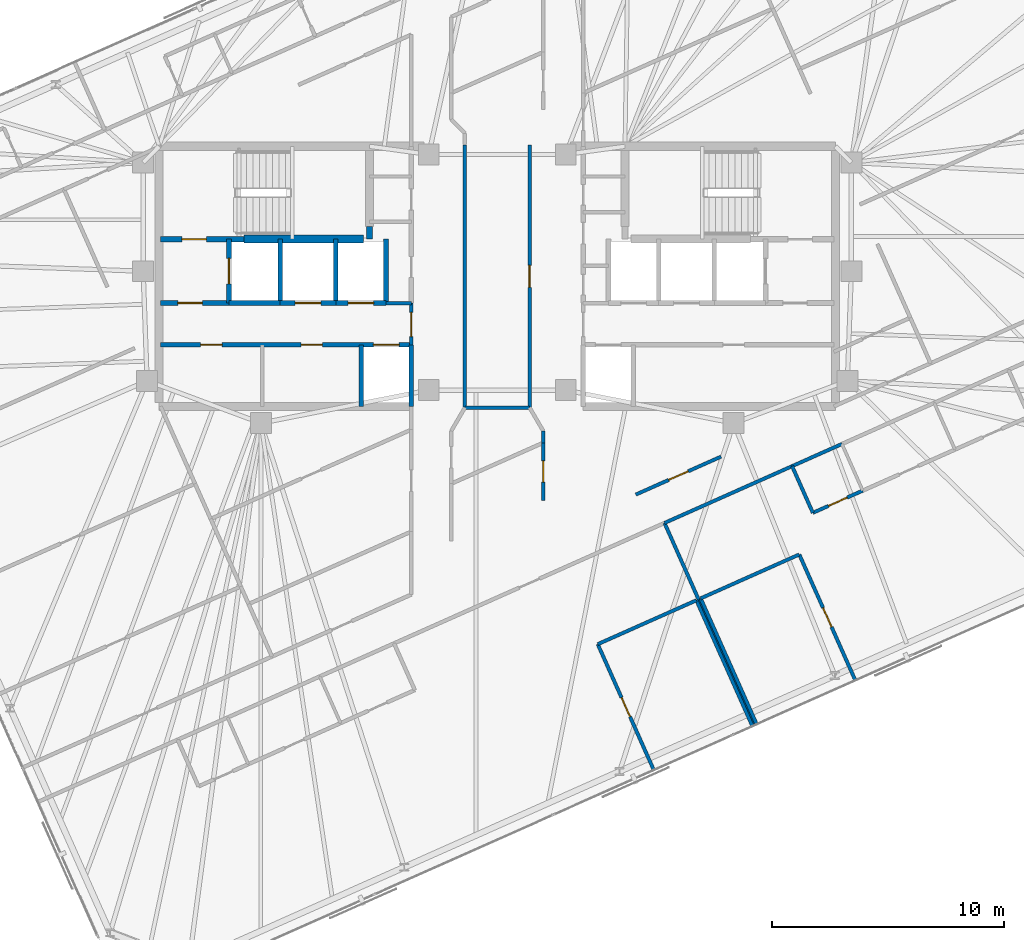
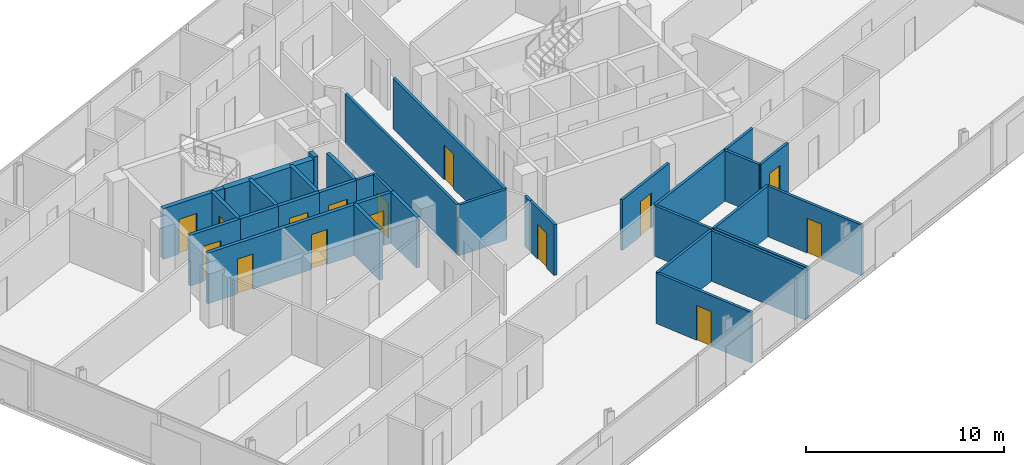
# One storey, part 14 of 19: 33 walls, 15 doors, 15 openings.
"""IFC4 building model written with IfcOpenShell, lengths in metres."""

from ifc_helpers import new_model, si_unit, direction, frame, frame_2d, origin, place, context, subcontext, project, spatial, rectangle, extrude, material, layer, layer_set, type_object, element, fill, save


model = new_model("IFC4")

# Units and contexts
model_context = context("Model", 3, precision=1e-05, world=origin(), true_north=direction((0.0, 1.0)))
body_context = subcontext(model_context, "Body", "Model", "MODEL_VIEW")
ifc_project = project(units=[si_unit("LENGTHUNIT", "METRE"), si_unit("AREAUNIT", "SQUARE_METRE"), si_unit("VOLUMEUNIT", "CUBIC_METRE"), si_unit("PLANEANGLEUNIT", "RADIAN"), si_unit("MASSUNIT", "GRAM", prefix="KILO")], contexts=[model_context])

# Site, building, storey
site_placement = place(None, origin())
site = spatial("IfcSite", under=ifc_project, at=site_placement, CompositionType="ELEMENT")
building_placement = place(site_placement, origin())
building = spatial("IfcBuilding", under=site, at=building_placement, Name="Menara Jurai Vektor", CompositionType="ELEMENT")
storey_placement = place(building_placement, frame((0.0, 0.0, 265.550048828125)))
storey = spatial("IfcBuildingStorey", under=building, at=storey_placement, Name="L71", CompositionType="ELEMENT", Elevation=265.550048828125)

# Wall, opening, door
ifc_material_1 = material(Name="Concrete C40/50", Category="concrete")
ifc_layer_1 = layer(ifc_material_1, 0.25)
ifc_layer_set_1 = layer_set([ifc_layer_1], Name="Concrete C40/50")
wall_type_1 = type_object("IfcWallType", Name="INT-WALL-CORE-250", PredefinedType="STANDARD", material=ifc_layer_set_1)
wall_1_placement = place(storey_placement, frame((-14.5, 1.60009765625, 0.0), z_axis=(0.0, 0.0, 1.0), x_axis=(1.0, 0.0, 0.0)))
wall_1 = element("IfcWall", 1, at=wall_1_placement, inside=storey, type_object=wall_type_1, Name="Interior Wall IW-250 L71", PredefinedType="STANDARD", context=body_context, shape_type="SweptSolid", body=[
    extrude(rectangle(XDim=3.60009765625, YDim=0.25, at=frame_2d((1.800048828125, 0.0))), origin(), (0.0, 0.0, 1.0), 3.125),
])
opening_1_placement = place(wall_1_placement, frame((0.919921875, 0.0, 0.0)))
opening_1 = element("IfcOpeningElement", 2, at=opening_1_placement, cuts=wall_1, Name="Opening D-L71-ST1", PredefinedType="OPENING", context=body_context, shape_type="SweptSolid", body=[
    extrude(rectangle(XDim=1.050048828125, YDim=2.14990234375, at=frame_2d((0.52490234375, 1.074951171875))), frame((0.0, 0.135009765625, 0.0), z_axis=(0.0, -1.0, 0.0), x_axis=(1.0, 0.0, 0.0)), (0.0, 0.0, 1.0), 0.27001953125),
])
ifc_material_2 = material(Name="Fire-Rated Steel Door", Category="steel")
door_type_1 = type_object("IfcDoorType", Name="DR-STAIR-1050", OperationType="NOTDEFINED", PredefinedType="DOOR", material=ifc_material_2)
door_1_placement = place(opening_1_placement, origin())
door_1 = element("IfcDoor", 3, at=door_1_placement, inside=storey, type_object=door_type_1, Name="Exit Stair ST1 Door L71", OperationType="SINGLE_SWING_RIGHT", OverallHeight=2.14990234375, OverallWidth=1.050048828125, PredefinedType="DOOR", context=body_context, shape_type="SweptSolid", body=[
    extrude(rectangle(XDim=1.050048828125, YDim=2.14990234375, at=frame_2d((0.52490234375, 1.074951171875))), frame((0.0, 0.02490234375, 0.0), z_axis=(0.0, -1.0, 0.0), x_axis=(1.0, 0.0, 0.0)), (0.0, 0.0, 1.0), 0.050048828125),
])
fill(opening_1, door_1)

# Wall
wall_2_placement = place(storey_placement, frame((-5.5, 1.60009765625, 0.0), z_axis=(0.0, 0.0, 1.0), x_axis=(0.0, 1.0, 0.0)))
element("IfcWall", 4, at=wall_2_placement, inside=storey, type_object=wall_type_1, Name="Interior Wall IW-250 L71", PredefinedType="STANDARD", context=body_context, shape_type="SweptSolid", body=[
    extrude(rectangle(XDim=0.5498046875, YDim=0.25, at=frame_2d((0.27490234375, 0.0))), origin(), (0.0, 0.0, 1.0), 3.125),
])

# Wall, opening, door
wall_3_placement = place(storey_placement, frame((-11.550048828125, -1.14990234375, 0.0), z_axis=(0.0, 0.0, 1.0), x_axis=(0.0, 1.0, 0.0)))
wall_3 = element("IfcWall", 5, at=wall_3_placement, inside=storey, type_object=wall_type_1, Name="Interior Wall IW-250 L71", PredefinedType="STANDARD", context=body_context, shape_type="SweptSolid", body=[
    extrude(rectangle(XDim=2.75, YDim=0.199951171875, at=frame_2d((1.375, 0.0))), origin(), (0.0, 0.0, 1.0), 3.125),
])
opening_2_placement = place(wall_3_placement, frame((0.824951171875, 0.0, 0.0)))
opening_2 = element("IfcOpeningElement", 6, at=opening_2_placement, cuts=wall_3, Name="Opening LD-L71-FL1", PredefinedType="OPENING", context=body_context, shape_type="SweptSolid", body=[
    extrude(rectangle(XDim=1.10009765625, YDim=2.14990234375, at=frame_2d((0.550048828125, 1.074951171875))), frame((0.0, 0.10986328125, 0.0), z_axis=(0.0, -1.0, 0.0), x_axis=(1.0, 0.0, 0.0)), (0.0, 0.0, 1.0), 0.219970703125),
])
ifc_material_3 = material(Name="Stainless Steel Sliding Lift Landing Door", Category="steel")
door_type_2 = type_object("IfcDoorType", Name="DR-LIFT-FIRE-1100", OperationType="NOTDEFINED", PredefinedType="DOOR", material=ifc_material_3)
door_2_placement = place(opening_2_placement, origin())
door_2 = element("IfcDoor", 7, at=door_2_placement, inside=storey, type_object=door_type_2, Name="Lift Landing Door FL1 L71", OperationType="SLIDING_TO_RIGHT", OverallHeight=2.14990234375, OverallWidth=1.10009765625, PredefinedType="DOOR", context=body_context, shape_type="SweptSolid", body=[
    extrude(rectangle(XDim=1.10009765625, YDim=2.14990234375, at=frame_2d((0.550048828125, 1.074951171875))), frame((0.0, 0.02490234375, 0.0), z_axis=(0.0, -1.0, 0.0), x_axis=(1.0, 0.0, 0.0)), (0.0, 0.0, 1.0), 0.050048828125),
])
fill(opening_2, door_2)

# Wall
wall_4_placement = place(storey_placement, frame((-9.35009765625, -1.14990234375, 0.0), z_axis=(0.0, 0.0, 1.0), x_axis=(0.0, 1.0, 0.0)))
element("IfcWall", 8, at=wall_4_placement, inside=storey, type_object=wall_type_1, Name="Interior Wall IW-250 L71", PredefinedType="STANDARD", context=body_context, shape_type="SweptSolid", body=[
    extrude(rectangle(XDim=2.75, YDim=0.199951171875, at=frame_2d((1.375, 0.0))), origin(), (0.0, 0.0, 1.0), 3.125),
])

# Wall, opening, door
wall_5_placement = place(storey_placement, frame((-14.5, -1.14990234375, 0.0), z_axis=(0.0, 0.0, 1.0), x_axis=(1.0, 0.0, 0.0)))
wall_5 = element("IfcWall", 9, at=wall_5_placement, inside=storey, type_object=wall_type_1, Name="Interior Wall IW-250 L71", PredefinedType="STANDARD", context=body_context, shape_type="SweptSolid", body=[
    extrude(rectangle(XDim=2.949951171875, YDim=0.199951171875, at=frame_2d((1.47509765625, 0.0))), origin(), (0.0, 0.0, 1.0), 3.125),
])
opening_3_placement = place(wall_5_placement, frame((0.75, 0.0, 0.0)))
opening_3 = element("IfcOpeningElement", 10, at=opening_3_placement, cuts=wall_5, Name="Opening D-L71-FFW", PredefinedType="OPENING", context=body_context, shape_type="SweptSolid", body=[
    extrude(rectangle(XDim=1.050048828125, YDim=2.179931640625, at=frame_2d((0.52490234375, 1.08984375))), frame((0.0, 0.10986328125, 0.0), z_axis=(0.0, -1.0, 0.0), x_axis=(1.0, 0.0, 0.0)), (0.0, 0.0, 1.0), 0.219970703125),
])
ifc_material_4 = material(Name="Fire-Rated Timber Door", Category="wood")
door_type_3 = type_object("IfcDoorType", Name="DR-LOBBY-1050", OperationType="NOTDEFINED", PredefinedType="DOOR", material=ifc_material_4)
door_3_placement = place(opening_3_placement, origin())
door_3 = element("IfcDoor", 11, at=door_3_placement, inside=storey, type_object=door_type_3, Name="Fire Lift Lobby Door W L71", OperationType="SINGLE_SWING_RIGHT", OverallHeight=2.179931640625, OverallWidth=1.050048828125, PredefinedType="DOOR", context=body_context, shape_type="SweptSolid", body=[
    extrude(rectangle(XDim=1.050048828125, YDim=2.179931640625, at=frame_2d((0.52490234375, 1.08984375))), frame((0.0, 0.02490234375, 0.0), z_axis=(0.0, -1.0, 0.0), x_axis=(1.0, 0.0, 0.0)), (0.0, 0.0, 1.0), 0.050048828125),
])
fill(opening_3, door_3)

# Wall
wall_6_placement = place(storey_placement, frame((-11.550048828125, -1.14990234375, 0.0), z_axis=(0.0, 0.0, 1.0), x_axis=(1.0, 0.0, 0.0)))
element("IfcWall", 12, at=wall_6_placement, inside=storey, type_object=wall_type_1, Name="Interior Wall IW-250 L71", PredefinedType="STANDARD", context=body_context, shape_type="SweptSolid", body=[
    extrude(rectangle(XDim=2.199951171875, YDim=0.199951171875, at=frame_2d((1.10009765625, 0.0))), origin(), (0.0, 0.0, 1.0), 3.125),
])

# Wall, opening, door
ifc_material_5 = material(Name="Gypsum Fireboard Partition", Category="gypsum")
ifc_layer_2 = layer(ifc_material_5, 0.14990234375)
ifc_layer_set_2 = layer_set([ifc_layer_2], Name="Gypsum Fireboard Partition")
wall_type_2 = type_object("IfcWallType", Name="INT-WALL-CORR-150", PredefinedType="PARTITIONING", material=ifc_layer_set_2)
wall_7_placement = place(storey_placement, frame((-3.699951171875, -2.949951171875, 0.0), z_axis=(0.0, 0.0, 1.0), x_axis=(0.0, 1.0, 0.0)))
wall_7 = element("IfcWall", 13, at=wall_7_placement, inside=storey, type_object=wall_type_2, Name="Interior Wall IW-150 L71", PredefinedType="PARTITIONING", context=body_context, shape_type="SweptSolid", body=[
    extrude(rectangle(XDim=1.800048828125, YDim=0.14990234375, at=frame_2d((0.89990234375, 0.0))), origin(), (0.0, 0.0, 1.0), 3.125),
])
opening_4_placement = place(wall_7_placement, frame((0.35009765625, 0.0, 0.0)))
opening_4 = element("IfcOpeningElement", 14, at=opening_4_placement, cuts=wall_7, Name="Opening D-L71-LLW", PredefinedType="OPENING", context=body_context, shape_type="SweptSolid", body=[
    extrude(rectangle(XDim=1.050048828125, YDim=2.179931640625, at=frame_2d((0.52490234375, 1.08984375))), frame((0.0, 0.0849609375, 0.0), z_axis=(0.0, -1.0, 0.0), x_axis=(1.0, 0.0, 0.0)), (0.0, 0.0, 1.0), 0.169921875),
])
door_4_placement = place(opening_4_placement, origin())
door_4 = element("IfcDoor", 15, at=door_4_placement, inside=storey, type_object=door_type_3, Name="Lift Lobby Corridor Door W L71", OperationType="SINGLE_SWING_LEFT", OverallHeight=2.179931640625, OverallWidth=1.050048828125, PredefinedType="DOOR", context=body_context, shape_type="SweptSolid", body=[
    extrude(rectangle(XDim=1.050048828125, YDim=2.179931640625, at=frame_2d((0.52490234375, 1.08984375))), frame((0.0, 0.02490234375, 0.0), z_axis=(0.0, -1.0, 0.0), x_axis=(1.0, 0.0, 0.0)), (0.0, 0.0, 1.0), 0.050048828125),
])
fill(opening_4, door_4)

# Walls
wall_8_placement = place(storey_placement, frame((-4.7900390625, -1.14990234375, 0.0), z_axis=(0.0, 0.0, 1.0), x_axis=(1.0, 0.0, 0.0)))
element("IfcWall", 16, at=wall_8_placement, inside=storey, type_object=wall_type_2, Name="Interior Wall IW-150 L71", PredefinedType="PARTITIONING", context=body_context, shape_type="SweptSolid", body=[
    extrude(rectangle(XDim=1.090087890625, YDim=0.14990234375, at=frame_2d((0.544921875, 0.0))), origin(), (0.0, 0.0, 1.0), 3.125),
])
wall_9_placement = place(storey_placement, frame((-1.390869140625, -5.64990234375, 0.0), z_axis=(0.0, 0.0, 1.0), x_axis=(-2.1605738e-05, 0.999999999767, 0.0)))
element("IfcWall", 17, at=wall_9_placement, inside=storey, type_object=wall_type_2, Name="Interior Wall IW-150 L71", PredefinedType="PARTITIONING", context=body_context, shape_type="SweptSolid", body=[
    extrude(rectangle(XDim=11.2998046875, YDim=0.14990234375, at=frame_2d((5.64990234375, 0.0))), origin(), (0.0, 0.0, 1.0), 3.125),
])

# Wall, opening, door
wall_10_placement = place(storey_placement, frame((1.390869140625, -5.650390625, 0.0), z_axis=(0.0, 0.0, 1.0), x_axis=(4.3206809e-05, 0.999999999067, 0.0)))
wall_10 = element("IfcWall", 18, at=wall_10_placement, inside=storey, type_object=wall_type_2, Name="Interior Wall IW-150 L71", PredefinedType="PARTITIONING", context=body_context, shape_type="SweptSolid", body=[
    extrude(rectangle(XDim=11.301025390625, YDim=0.14990234375, at=frame_2d((5.650390625, 0.0))), origin(), (0.0, 0.0, 1.0), 3.125),
])
opening_5_placement = place(wall_10_placement, frame((5.175537109375, 0.0, 0.0)))
opening_5 = element("IfcOpeningElement", 19, at=opening_5_placement, cuts=wall_10, Name="Opening D71-09", PredefinedType="OPENING", context=body_context, shape_type="SweptSolid", body=[
    extrude(rectangle(XDim=0.949951171875, YDim=2.14990234375, at=frame_2d((0.47509765625, 1.074951171875))), frame((0.0, 0.0849609375, 0.0), z_axis=(0.0, -1.0, 0.0), x_axis=(1.0, 0.0, 0.0)), (0.0, 0.0, 1.0), 0.169921875),
])
ifc_material_6 = material(Name="Solid Core Timber Fire Door", Category="wood")
door_type_4 = type_object("IfcDoorType", Name="DR-ENTRY-950", OperationType="NOTDEFINED", PredefinedType="DOOR", material=ifc_material_6)
door_5_placement = place(opening_5_placement, origin())
door_5 = element("IfcDoor", 20, at=door_5_placement, inside=storey, type_object=door_type_4, Name="Interior Door D71-09", OperationType="SINGLE_SWING_LEFT", OverallHeight=2.14990234375, OverallWidth=0.949951171875, PredefinedType="DOOR", context=body_context, shape_type="SweptSolid", body=[
    extrude(rectangle(XDim=0.949951171875, YDim=2.14990234375, at=frame_2d((0.47509765625, 1.074951171875))), frame((0.0, 0.02490234375, 0.0), z_axis=(0.0, -1.0, 0.0), x_axis=(1.0, 0.0, 0.0)), (0.0, 0.0, 1.0), 0.050048828125),
])
fill(opening_5, door_5)

# Walls
wall_11_placement = place(storey_placement, frame((7.20361328125, -10.6220703125, 0.0), z_axis=(0.0, 0.0, 1.0), x_axis=(0.913545172627, 0.406737283231, 0.0)))
element("IfcWall", 21, at=wall_11_placement, inside=storey, type_object=wall_type_2, Name="Interior Wall IW-150 L71", PredefinedType="PARTITIONING", context=body_context, shape_type="SweptSolid", body=[
    extrude(rectangle(XDim=6.013916015625, YDim=0.14990234375, at=frame_2d((3.0068359375, 0.0))), origin(), (0.0, 0.0, 1.0), 3.125),
])
wall_12_placement = place(storey_placement, frame((12.697509765625, -8.176025390625, 0.0), z_axis=(0.0, 0.0, 1.0), x_axis=(0.913558622212, 0.406707073682, 0.0)))
element("IfcWall", 22, at=wall_12_placement, inside=storey, type_object=wall_type_2, Name="Interior Wall IW-150 L71", PredefinedType="PARTITIONING", context=body_context, shape_type="SweptSolid", body=[
    extrude(rectangle(XDim=2.35009765625, YDim=0.14990234375, at=frame_2d((1.175048828125, 0.0))), origin(), (0.0, 0.0, 1.0), 3.125),
])

# Wall, opening, door
wall_13_placement = place(storey_placement, frame((5.968017578125, -9.398681640625, 0.0), z_axis=(0.0, 0.0, 1.0), x_axis=(0.913563383118, 0.406696379412, 0.0)))
wall_13 = element("IfcWall", 23, at=wall_13_placement, inside=storey, type_object=wall_type_2, Name="Interior Wall IW-150 L71", PredefinedType="PARTITIONING", context=body_context, shape_type="SweptSolid", body=[
    extrude(rectangle(XDim=4.01904296875, YDim=0.14990234375, at=frame_2d((2.009521484375, 0.0))), origin(), (0.0, 0.0, 1.0), 3.125),
])
opening_6_placement = place(wall_13_placement, frame((1.549560546875, 0.0, 0.0)))
opening_6 = element("IfcOpeningElement", 24, at=opening_6_placement, cuts=wall_13, Name="Opening D71-36", PredefinedType="OPENING", context=body_context, shape_type="SweptSolid", body=[
    extrude(rectangle(XDim=0.919921875, YDim=2.14990234375, at=frame_2d((0.4599609375, 1.074951171875))), frame((0.0, 0.0849609375, 0.0), z_axis=(0.0, -1.0, 0.0), x_axis=(1.0, 0.0, 0.0)), (0.0, 0.0, 1.0), 0.169921875),
])
door_6_placement = place(opening_6_placement, origin())
door_6 = element("IfcDoor", 25, at=door_6_placement, inside=storey, type_object=door_type_4, Name="Interior Door D71-36", OperationType="SINGLE_SWING_RIGHT", OverallHeight=2.14990234375, OverallWidth=0.919921875, PredefinedType="DOOR", context=body_context, shape_type="SweptSolid", body=[
    extrude(rectangle(XDim=0.919921875, YDim=2.14990234375, at=frame_2d((0.4599609375, 1.074951171875))), frame((0.0, 0.02490234375, 0.0), z_axis=(0.0, -1.0, 0.0), x_axis=(1.0, 0.0, 0.0)), (0.0, 0.0, 1.0), 0.050048828125),
])
fill(opening_6, door_6)

wall_14_placement = place(storey_placement, frame((1.979248046875, -9.64453125, 0.0), z_axis=(0.0, 0.0, 1.0), x_axis=(9.8541584e-05, 0.999999995145, 0.0)))
wall_14 = element("IfcWall", 26, at=wall_14_placement, inside=storey, type_object=wall_type_2, Name="Interior Wall IW-150 L71", PredefinedType="PARTITIONING", context=body_context, shape_type="SweptSolid", body=[
    extrude(rectangle(XDim=2.4775390625, YDim=0.14990234375, at=frame_2d((1.23876953125, 0.0))), origin(), (0.0, 0.0, 1.0), 3.125),
])
opening_7_placement = place(wall_14_placement, frame((0.77880859375, 0.0, 0.0)))
opening_7 = element("IfcOpeningElement", 27, at=opening_7_placement, cuts=wall_14, Name="Opening D71-37", PredefinedType="OPENING", context=body_context, shape_type="SweptSolid", body=[
    extrude(rectangle(XDim=0.919921875, YDim=2.14990234375, at=frame_2d((0.4599609375, 1.074951171875))), frame((0.0, 0.0849609375, 0.0), z_axis=(0.0, -1.0, 0.0), x_axis=(1.0, 0.0, 0.0)), (0.0, 0.0, 1.0), 0.169921875),
])
door_7_placement = place(opening_7_placement, origin())
door_7 = element("IfcDoor", 28, at=door_7_placement, inside=storey, type_object=door_type_4, Name="Interior Door D71-37", OperationType="SINGLE_SWING_LEFT", OverallHeight=2.14990234375, OverallWidth=0.919921875, PredefinedType="DOOR", context=body_context, shape_type="SweptSolid", body=[
    extrude(rectangle(XDim=0.919921875, YDim=2.14990234375, at=frame_2d((0.4599609375, 1.074951171875))), frame((0.0, 0.02490234375, 0.0), z_axis=(0.0, -1.0, 0.0), x_axis=(1.0, 0.0, 0.0)), (0.0, 0.0, 1.0), 0.050048828125),
])
fill(opening_7, door_7)

# Walls
wall_15_placement = place(storey_placement, frame((1.9794921875, -7.1669921875, 0.0), z_axis=(0.0, 0.0, 1.0), x_axis=(0.000961075962, 0.999999538166, 0.0)))
element("IfcWall", 29, at=wall_15_placement, inside=storey, type_object=wall_type_2, Name="Interior Wall IW-150 L71", PredefinedType="PARTITIONING", context=body_context, shape_type="SweptSolid", body=[
    extrude(rectangle(XDim=0.508056640625, YDim=0.14990234375, at=frame_2d((0.25390625, 0.0))), origin(), (0.0, 0.0, 1.0), 3.125),
])
wall_16_placement = place(storey_placement, frame((-1.390869140625, -5.64990234375, 0.0), z_axis=(0.0, 0.0, 1.0), x_axis=(0.999999984594, -0.000175530979, 0.0)))
element("IfcWall", 30, at=wall_16_placement, inside=storey, type_object=wall_type_2, Name="Interior Wall IW-150 L71", PredefinedType="PARTITIONING", context=body_context, shape_type="SweptSolid", body=[
    extrude(rectangle(XDim=2.78173828125, YDim=0.14990234375, at=frame_2d((1.390869140625, 0.0))), origin(), (0.0, 0.0, 1.0), 3.125),
])

# Wall, opening, door
wall_17_placement = place(storey_placement, frame((6.742431640625, -21.2646484375, 0.0), z_axis=(0.0, 0.0, 1.0), x_axis=(-0.406749048544, 0.913539934271, 0.0)))
wall_17 = element("IfcWall", 31, at=wall_17_placement, inside=storey, type_object=wall_type_2, Name="Interior Wall IW-150 L71", PredefinedType="PARTITIONING", context=body_context, shape_type="SweptSolid", body=[
    extrude(rectangle(XDim=5.93505859375, YDim=0.14990234375, at=frame_2d((2.967529296875, 0.0))), origin(), (0.0, 0.0, 1.0), 3.125),
])
opening_8_placement = place(wall_17_placement, frame((2.517578125, 0.0, 0.0)))
opening_8 = element("IfcOpeningElement", 32, at=opening_8_placement, cuts=wall_17, Name="Opening D71-26", PredefinedType="OPENING", context=body_context, shape_type="SweptSolid", body=[
    extrude(rectangle(XDim=0.89990234375, YDim=2.14990234375, at=frame_2d((0.449951171875, 1.074951171875))), frame((0.0, 0.0849609375, 0.0), z_axis=(0.0, -1.0, 0.0), x_axis=(1.0, 0.0, 0.0)), (0.0, 0.0, 1.0), 0.169921875),
])
ifc_material_7 = material(Name="Acoustic Timber Interior Door", Category="wood")
door_type_5 = type_object("IfcDoorType", Name="DR-ROOM-900", OperationType="NOTDEFINED", PredefinedType="DOOR", material=ifc_material_7)
door_8_placement = place(opening_8_placement, origin())
door_8 = element("IfcDoor", 33, at=door_8_placement, inside=storey, type_object=door_type_5, Name="Interior Door D71-26", OperationType="SINGLE_SWING_RIGHT", OverallHeight=2.14990234375, OverallWidth=0.89990234375, PredefinedType="DOOR", context=body_context, shape_type="SweptSolid", body=[
    extrude(rectangle(XDim=0.89990234375, YDim=2.14990234375, at=frame_2d((0.449951171875, 1.074951171875))), frame((0.0, 0.02490234375, 0.0), z_axis=(0.0, -1.0, 0.0), x_axis=(1.0, 0.0, 0.0)), (0.0, 0.0, 1.0), 0.050048828125),
])
fill(opening_8, door_8)

# Walls
wall_18_placement = place(storey_placement, frame((4.328369140625, -15.8427734375, 0.0), z_axis=(0.0, 0.0, 1.0), x_axis=(0.91354505039, 0.40673755778, 0.0)))
element("IfcWall", 34, at=wall_18_placement, inside=storey, type_object=wall_type_2, Name="Interior Wall IW-150 L71", PredefinedType="PARTITIONING", context=body_context, shape_type="SweptSolid", body=[
    extrude(rectangle(XDim=4.650146484375, YDim=0.14990234375, at=frame_2d((2.3251953125, 0.0))), origin(), (0.0, 0.0, 1.0), 3.125),
])
wall_19_placement = place(storey_placement, frame((10.990478515625, -19.373291015625, 0.0), z_axis=(0.0, 0.0, 1.0), x_axis=(-0.406749048544, 0.913539934271, 0.0)))
element("IfcWall", 35, at=wall_19_placement, inside=storey, type_object=wall_type_2, Name="Interior Wall IW-150 L71", PredefinedType="PARTITIONING", context=body_context, shape_type="SweptSolid", body=[
    extrude(rectangle(XDim=5.93505859375, YDim=0.14990234375, at=frame_2d((2.967529296875, 0.0))), origin(), (0.0, 0.0, 1.0), 3.125),
])
wall_20_placement = place(storey_placement, frame((11.081787109375, -19.332763671875, 0.0), z_axis=(0.0, 0.0, 1.0), x_axis=(-0.406729927653, 0.913548447512, 0.0)))
element("IfcWall", 36, at=wall_20_placement, inside=storey, type_object=wall_type_2, Name="Interior Wall IW-150 L71", PredefinedType="PARTITIONING", context=body_context, shape_type="SweptSolid", body=[
    extrude(rectangle(XDim=9.534912109375, YDim=0.14990234375, at=frame_2d((4.767578125, 0.0))), origin(), (0.0, 0.0, 1.0), 3.125),
])
wall_21_placement = place(storey_placement, frame((13.59228515625, -10.185791015625, 0.0), z_axis=(0.0, 0.0, 1.0), x_axis=(-0.406725294076, 0.913550510459, 0.0)))
element("IfcWall", 37, at=wall_21_placement, inside=storey, type_object=wall_type_2, Name="Interior Wall IW-150 L71", PredefinedType="PARTITIONING", context=body_context, shape_type="SweptSolid", body=[
    extrude(rectangle(XDim=2.199951171875, YDim=0.14990234375, at=frame_2d((1.10009765625, 0.0))), origin(), (0.0, 0.0, 1.0), 3.125),
])

# Wall, opening, door
wall_22_placement = place(storey_placement, frame((13.59228515625, -10.185791015625, 0.0), z_axis=(0.0, 0.0, 1.0), x_axis=(0.913558622212, 0.406707073682, 0.0)))
wall_22 = element("IfcWall", 38, at=wall_22_placement, inside=storey, type_object=wall_type_2, Name="Interior Wall IW-150 L71", PredefinedType="PARTITIONING", context=body_context, shape_type="SweptSolid", body=[
    extrude(rectangle(XDim=2.35009765625, YDim=0.14990234375, at=frame_2d((1.175048828125, 0.0))), origin(), (0.0, 0.0, 1.0), 3.125),
])
opening_9_placement = place(wall_22_placement, frame((0.735107421875, 0.0, 0.0)))
opening_9 = element("IfcOpeningElement", 39, at=opening_9_placement, cuts=wall_22, Name="Opening D71-28", PredefinedType="OPENING", context=body_context, shape_type="SweptSolid", body=[
    extrude(rectangle(XDim=0.8798828125, YDim=2.14990234375, at=frame_2d((0.43994140625, 1.074951171875))), frame((0.0, 0.0849609375, 0.0), z_axis=(0.0, -1.0, 0.0), x_axis=(1.0, 0.0, 0.0)), (0.0, 0.0, 1.0), 0.169921875),
])
ifc_material_8 = material(Name="Moisture-Resistant Timber Door", Category="wood")
door_type_6 = type_object("IfcDoorType", Name="DR-BATH-880", OperationType="NOTDEFINED", PredefinedType="DOOR", material=ifc_material_8)
door_9_placement = place(opening_9_placement, origin())
door_9 = element("IfcDoor", 40, at=door_9_placement, inside=storey, type_object=door_type_6, Name="Interior Door D71-28", OperationType="SINGLE_SWING_RIGHT", OverallHeight=2.14990234375, OverallWidth=0.8798828125, PredefinedType="DOOR", context=body_context, shape_type="SweptSolid", body=[
    extrude(rectangle(XDim=0.8798828125, YDim=2.14990234375, at=frame_2d((0.43994140625, 1.074951171875))), frame((0.0, 0.02490234375, 0.0), z_axis=(0.0, -1.0, 0.0), x_axis=(1.0, 0.0, 0.0)), (0.0, 0.0, 1.0), 0.050048828125),
])
fill(opening_9, door_9)

# Walls
wall_23_placement = place(storey_placement, frame((11.173095703125, -19.2919921875, 0.0), z_axis=(0.0, 0.0, 1.0), x_axis=(-0.406749048544, 0.913539934271, 0.0)))
element("IfcWall", 41, at=wall_23_placement, inside=storey, type_object=wall_type_2, Name="Interior Wall IW-150 L71", PredefinedType="PARTITIONING", context=body_context, shape_type="SweptSolid", body=[
    extrude(rectangle(XDim=5.93505859375, YDim=0.14990234375, at=frame_2d((2.967529296875, 0.0))), origin(), (0.0, 0.0, 1.0), 3.125),
])
wall_24_placement = place(storey_placement, frame((8.759033203125, -13.8701171875, 0.0), z_axis=(0.0, 0.0, 1.0), x_axis=(0.91354505039, 0.40673755778, 0.0)))
element("IfcWall", 42, at=wall_24_placement, inside=storey, type_object=wall_type_2, Name="Interior Wall IW-150 L71", PredefinedType="PARTITIONING", context=body_context, shape_type="SweptSolid", body=[
    extrude(rectangle(XDim=4.650146484375, YDim=0.14990234375, at=frame_2d((2.3251953125, 0.0))), origin(), (0.0, 0.0, 1.0), 3.125),
])

# Wall, opening, door
wall_25_placement = place(storey_placement, frame((15.421142578125, -17.400634765625, 0.0), z_axis=(0.0, 0.0, 1.0), x_axis=(-0.406749048544, 0.913539934271, 0.0)))
wall_25 = element("IfcWall", 43, at=wall_25_placement, inside=storey, type_object=wall_type_2, Name="Interior Wall IW-150 L71", PredefinedType="PARTITIONING", context=body_context, shape_type="SweptSolid", body=[
    extrude(rectangle(XDim=5.93505859375, YDim=0.14990234375, at=frame_2d((2.967529296875, 0.0))), origin(), (0.0, 0.0, 1.0), 3.125),
])
opening_10_placement = place(wall_25_placement, frame((2.517578125, 0.0, 0.0)))
opening_10 = element("IfcOpeningElement", 44, at=opening_10_placement, cuts=wall_25, Name="Opening D71-31", PredefinedType="OPENING", context=body_context, shape_type="SweptSolid", body=[
    extrude(rectangle(XDim=0.89990234375, YDim=2.14990234375, at=frame_2d((0.449951171875, 1.074951171875))), frame((0.0, 0.0849609375, 0.0), z_axis=(0.0, -1.0, 0.0), x_axis=(1.0, 0.0, 0.0)), (0.0, 0.0, 1.0), 0.169921875),
])
door_10_placement = place(opening_10_placement, origin())
door_10 = element("IfcDoor", 45, at=door_10_placement, inside=storey, type_object=door_type_5, Name="Interior Door D71-31", OperationType="SINGLE_SWING_LEFT", OverallHeight=2.14990234375, OverallWidth=0.89990234375, PredefinedType="DOOR", context=body_context, shape_type="SweptSolid", body=[
    extrude(rectangle(XDim=0.89990234375, YDim=2.14990234375, at=frame_2d((0.449951171875, 1.074951171875))), frame((0.0, 0.02490234375, 0.0), z_axis=(0.0, -1.0, 0.0), x_axis=(1.0, 0.0, 0.0)), (0.0, 0.0, 1.0), 0.050048828125),
])
fill(opening_10, door_10)

# Walls
ifc_layer_3 = layer(ifc_material_1, 0.199951171875)
ifc_layer_set_3 = layer_set([ifc_layer_3], Name="Concrete C40/50")
wall_type_3 = type_object("IfcWallType", Name="INT-WALL-SHAFT-200", PredefinedType="STANDARD", material=ifc_layer_set_3)
wall_26_placement = place(storey_placement, frame((-3.699951171875, -5.60009765625, 0.0), z_axis=(0.0, 0.0, 1.0), x_axis=(0.0, 1.0, 0.0)))
element("IfcWall", 46, at=wall_26_placement, inside=storey, type_object=wall_type_3, Name="Interior Wall IW-200 L71", PredefinedType="STANDARD", context=body_context, shape_type="SweptSolid", body=[
    extrude(rectangle(XDim=2.650146484375, YDim=0.199951171875, at=frame_2d((1.3251953125, 0.0))), origin(), (0.0, 0.0, 1.0), 3.125),
])
wall_27_placement = place(storey_placement, frame((-6.949951171875, -1.14990234375, 0.0), z_axis=(0.0, 0.0, 1.0), x_axis=(0.0, 1.0, 0.0)))
element("IfcWall", 47, at=wall_27_placement, inside=storey, type_object=wall_type_3, Name="Interior Wall IW-200 L71", PredefinedType="STANDARD", context=body_context, shape_type="SweptSolid", body=[
    extrude(rectangle(XDim=2.75, YDim=0.199951171875, at=frame_2d((1.375, 0.0))), origin(), (0.0, 0.0, 1.0), 3.125),
])

# Wall, opening, door
wall_28_placement = place(storey_placement, frame((-9.35009765625, -1.14990234375, 0.0), z_axis=(0.0, 0.0, 1.0), x_axis=(1.0, 0.0, 0.0)))
wall_28 = element("IfcWall", 48, at=wall_28_placement, inside=storey, type_object=wall_type_3, Name="Interior Wall IW-200 L71", PredefinedType="STANDARD", context=body_context, shape_type="SweptSolid", body=[
    extrude(rectangle(XDim=2.400146484375, YDim=0.199951171875, at=frame_2d((1.2001953125, 0.0))), origin(), (0.0, 0.0, 1.0), 3.125),
])
opening_11_placement = place(wall_28_placement, frame((0.64990234375, 0.0, 0.0)))
opening_11 = element("IfcOpeningElement", 49, at=opening_11_placement, cuts=wall_28, Name="Opening LD-L71-SVL1", PredefinedType="OPENING", context=body_context, shape_type="SweptSolid", body=[
    extrude(rectangle(XDim=1.10009765625, YDim=2.14990234375, at=frame_2d((0.550048828125, 1.074951171875))), frame((0.0, 0.10986328125, 0.0), z_axis=(0.0, -1.0, 0.0), x_axis=(1.0, 0.0, 0.0)), (0.0, 0.0, 1.0), 0.219970703125),
])
ifc_material_9 = material(Name="Anodised Stainless Sliding Lift Landing Door", Category="steel")
door_type_7 = type_object("IfcDoorType", Name="DR-LIFT-PASS-1100", OperationType="NOTDEFINED", PredefinedType="DOOR", material=ifc_material_9)
door_11_placement = place(opening_11_placement, origin())
door_11 = element("IfcDoor", 50, at=door_11_placement, inside=storey, type_object=door_type_7, Name="Lift Landing Door SVL1 L71", OperationType="SLIDING_TO_RIGHT", OverallHeight=2.14990234375, OverallWidth=1.10009765625, PredefinedType="DOOR", context=body_context, shape_type="SweptSolid", body=[
    extrude(rectangle(XDim=1.10009765625, YDim=2.14990234375, at=frame_2d((0.550048828125, 1.074951171875))), frame((0.0, 0.02490234375, 0.0), z_axis=(0.0, -1.0, 0.0), x_axis=(1.0, 0.0, 0.0)), (0.0, 0.0, 1.0), 0.050048828125),
])
fill(opening_11, door_11)

# Wall
wall_29_placement = place(storey_placement, frame((-4.7900390625, -1.14990234375, 0.0), z_axis=(0.0, 0.0, 1.0), x_axis=(0.0, 1.0, 0.0)))
element("IfcWall", 51, at=wall_29_placement, inside=storey, type_object=wall_type_3, Name="Interior Wall IW-200 L71", PredefinedType="STANDARD", context=body_context, shape_type="SweptSolid", body=[
    extrude(rectangle(XDim=2.75, YDim=0.199951171875, at=frame_2d((1.375, 0.0))), origin(), (0.0, 0.0, 1.0), 3.125),
])

# Wall, opening, door
wall_30_placement = place(storey_placement, frame((-6.949951171875, -1.14990234375, 0.0), z_axis=(0.0, 0.0, 1.0), x_axis=(1.0, 0.0, 0.0)))
wall_30 = element("IfcWall", 52, at=wall_30_placement, inside=storey, type_object=wall_type_3, Name="Interior Wall IW-200 L71", PredefinedType="STANDARD", context=body_context, shape_type="SweptSolid", body=[
    extrude(rectangle(XDim=2.159912109375, YDim=0.199951171875, at=frame_2d((1.080078125, 0.0))), origin(), (0.0, 0.0, 1.0), 3.125),
])
opening_12_placement = place(wall_30_placement, frame((0.530029296875, 0.0, 0.0)))
opening_12 = element("IfcOpeningElement", 53, at=opening_12_placement, cuts=wall_30, Name="Opening LD-L71-PH2", PredefinedType="OPENING", context=body_context, shape_type="SweptSolid", body=[
    extrude(rectangle(XDim=1.10009765625, YDim=2.14990234375, at=frame_2d((0.550048828125, 1.074951171875))), frame((0.0, 0.10986328125, 0.0), z_axis=(0.0, -1.0, 0.0), x_axis=(1.0, 0.0, 0.0)), (0.0, 0.0, 1.0), 0.219970703125),
])
door_12_placement = place(opening_12_placement, origin())
door_12 = element("IfcDoor", 54, at=door_12_placement, inside=storey, type_object=door_type_7, Name="Lift Landing Door PH2 L71", OperationType="SLIDING_TO_RIGHT", OverallHeight=2.14990234375, OverallWidth=1.10009765625, PredefinedType="DOOR", context=body_context, shape_type="SweptSolid", body=[
    extrude(rectangle(XDim=1.10009765625, YDim=2.14990234375, at=frame_2d((0.550048828125, 1.074951171875))), frame((0.0, 0.02490234375, 0.0), z_axis=(0.0, -1.0, 0.0), x_axis=(1.0, 0.0, 0.0)), (0.0, 0.0, 1.0), 0.050048828125),
])
fill(opening_12, door_12)

# Wall, openings, doors
wall_31_placement = place(storey_placement, frame((-14.5, -2.949951171875, 0.0), z_axis=(0.0, 0.0, 1.0), x_axis=(1.0, 0.0, 0.0)))
wall_31 = element("IfcWall", 55, at=wall_31_placement, inside=storey, type_object=wall_type_3, Name="Interior Wall IW-200 L71", PredefinedType="STANDARD", context=body_context, shape_type="SweptSolid", body=[
    extrude(rectangle(XDim=10.800048828125, YDim=0.199951171875, at=frame_2d((5.39990234375, 0.0))), origin(), (0.0, 0.0, 1.0), 3.125),
])
opening_13_placement = place(wall_31_placement, frame((9.169921875, 0.0, 0.0)))
opening_13 = element("IfcOpeningElement", 56, at=opening_13_placement, cuts=wall_31, Name="Opening LD-L71-PH1", PredefinedType="OPENING", context=body_context, shape_type="SweptSolid", body=[
    extrude(rectangle(XDim=1.10009765625, YDim=2.14990234375, at=frame_2d((0.550048828125, 1.074951171875))), frame((0.0, 0.10986328125, 0.0), z_axis=(0.0, -1.0, 0.0), x_axis=(1.0, 0.0, 0.0)), (0.0, 0.0, 1.0), 0.219970703125),
])
opening_14_placement = place(wall_31_placement, frame((1.72998046875, 0.0, 0.0)))
opening_14 = element("IfcOpeningElement", 57, at=opening_14_placement, cuts=wall_31, Name="Opening D71-01", PredefinedType="OPENING", context=body_context, shape_type="SweptSolid", body=[
    extrude(rectangle(XDim=0.919921875, YDim=2.14990234375, at=frame_2d((0.4599609375, 1.074951171875))), frame((0.0, 0.10986328125, 0.0), z_axis=(0.0, -1.0, 0.0), x_axis=(1.0, 0.0, 0.0)), (0.0, 0.0, 1.0), 0.219970703125),
])
opening_15_placement = place(wall_31_placement, frame((6.050048828125, 0.0, 0.0)))
opening_15 = element("IfcOpeningElement", 58, at=opening_15_placement, cuts=wall_31, Name="Opening D71-02", PredefinedType="OPENING", context=body_context, shape_type="SweptSolid", body=[
    extrude(rectangle(XDim=0.919921875, YDim=2.14990234375, at=frame_2d((0.4599609375, 1.074951171875))), frame((0.0, 0.10986328125, 0.0), z_axis=(0.0, -1.0, 0.0), x_axis=(1.0, 0.0, 0.0)), (0.0, 0.0, 1.0), 0.219970703125),
])
door_13_placement = place(opening_14_placement, origin())
door_13 = element("IfcDoor", 59, at=door_13_placement, inside=storey, type_object=door_type_4, Name="Interior Door D71-01", OperationType="SINGLE_SWING_LEFT", OverallHeight=2.14990234375, OverallWidth=0.919921875, PredefinedType="DOOR", context=body_context, shape_type="SweptSolid", body=[
    extrude(rectangle(XDim=0.919921875, YDim=2.14990234375, at=frame_2d((0.4599609375, 1.074951171875))), frame((0.0, 0.02490234375, 0.0), z_axis=(0.0, -1.0, 0.0), x_axis=(1.0, 0.0, 0.0)), (0.0, 0.0, 1.0), 0.050048828125),
])
fill(opening_14, door_13)
door_14_placement = place(opening_15_placement, origin())
door_14 = element("IfcDoor", 60, at=door_14_placement, inside=storey, type_object=door_type_4, Name="Interior Door D71-02", OperationType="SINGLE_SWING_RIGHT", OverallHeight=2.14990234375, OverallWidth=0.919921875, PredefinedType="DOOR", context=body_context, shape_type="SweptSolid", body=[
    extrude(rectangle(XDim=0.919921875, YDim=2.14990234375, at=frame_2d((0.4599609375, 1.074951171875))), frame((0.0, 0.02490234375, 0.0), z_axis=(0.0, -1.0, 0.0), x_axis=(1.0, 0.0, 0.0)), (0.0, 0.0, 1.0), 0.050048828125),
])
fill(opening_15, door_14)
door_15_placement = place(opening_13_placement, origin())
door_15 = element("IfcDoor", 61, at=door_15_placement, inside=storey, type_object=door_type_7, Name="Lift Landing Door PH1 L71", OperationType="SLIDING_TO_RIGHT", OverallHeight=2.14990234375, OverallWidth=1.10009765625, PredefinedType="DOOR", context=body_context, shape_type="SweptSolid", body=[
    extrude(rectangle(XDim=1.10009765625, YDim=2.14990234375, at=frame_2d((0.550048828125, 1.074951171875))), frame((0.0, 0.02490234375, 0.0), z_axis=(0.0, -1.0, 0.0), x_axis=(1.0, 0.0, 0.0)), (0.0, 0.0, 1.0), 0.050048828125),
])
fill(opening_13, door_15)

# Walls
wall_32_placement = place(storey_placement, frame((-5.860107421875, -5.60009765625, 0.0), z_axis=(0.0, 0.0, 1.0), x_axis=(0.0, 1.0, 0.0)))
element("IfcWall", 62, at=wall_32_placement, inside=storey, type_object=wall_type_3, Name="Interior Wall IW-200 L71", PredefinedType="STANDARD", context=body_context, shape_type="SweptSolid", body=[
    extrude(rectangle(XDim=2.650146484375, YDim=0.199951171875, at=frame_2d((1.3251953125, 0.0))), origin(), (0.0, 0.0, 1.0), 3.125),
])
ifc_material_10 = material(Name="Concrete C50/60", Category="concrete")
ifc_layer_4 = layer(ifc_material_10, 0.35009765625)
ifc_layer_set_4 = layer_set([ifc_layer_4], Name="Concrete C50/60")
wall_type_4 = type_object("IfcWallType", Name="STR-WALL-CORE350", PredefinedType="SHEAR", material=ifc_layer_set_4)
wall_33_placement = place(storey_placement, frame((-10.89990234375, 1.60009765625, 0.0), z_axis=(0.0, 0.0, 1.0), x_axis=(1.0, 0.0, 0.0)))
element("IfcWall", 63, at=wall_33_placement, inside=storey, type_object=wall_type_4, Name="Core Shear Wall CW-W-STS L71", PredefinedType="SHEAR", context=body_context, shape_type="SweptSolid", body=[
    extrude(rectangle(XDim=5.14990234375, YDim=0.35009765625, at=frame_2d((2.574951171875, 0.0))), origin(), (0.0, 0.0, 1.0), 3.125),
])

save(model, "model.ifc")
